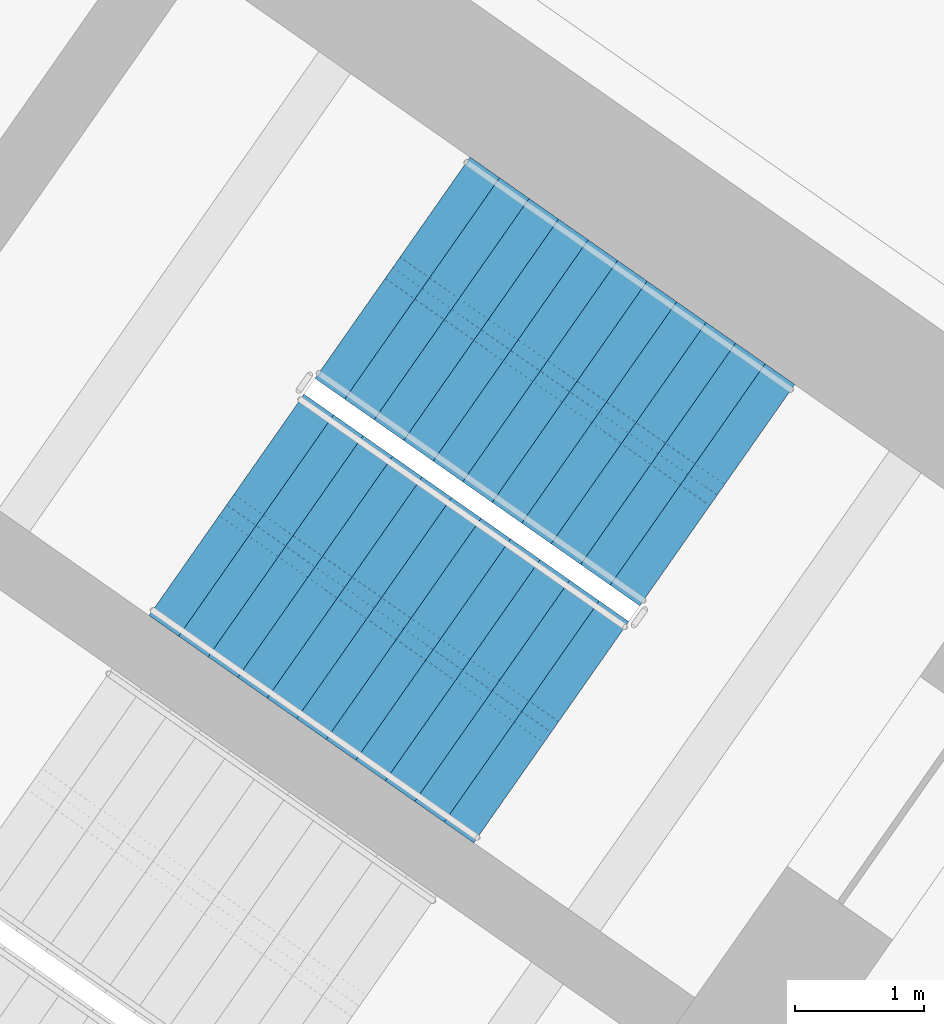
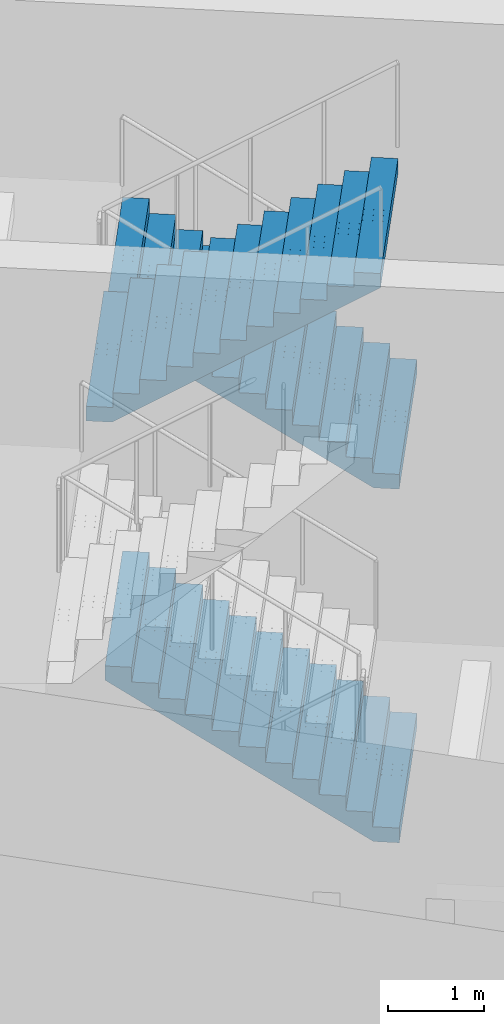
# One storey, part 18 of 27: 3 stair flights, 1 element without a shape of its own.
"""IFC4 building model written with IfcOpenShell, lengths in metres."""

from ifc_helpers import new_model, si_unit, direction, frame, origin, place, context, subcontext, project, spatial, polyline, outline, extrude, material, type_object, element, aggregate, save


model = new_model("IFC4")

# Units and contexts
model_context = context("Model", 3, precision=1e-05, world=origin(), true_north=direction((0.0, 1.0)))
body_context = subcontext(model_context, "Body", "Model", "MODEL_VIEW")
ifc_project = project(units=[si_unit("LENGTHUNIT", "METRE"), si_unit("AREAUNIT", "SQUARE_METRE"), si_unit("VOLUMEUNIT", "CUBIC_METRE"), si_unit("PLANEANGLEUNIT", "RADIAN"), si_unit("MASSUNIT", "GRAM", prefix="KILO")], contexts=[model_context])

# Site, building, storey
site_placement = place(None, origin())
site = spatial("IfcSite", under=ifc_project, at=site_placement, CompositionType="ELEMENT")
building_placement = place(site_placement, origin())
building = spatial("IfcBuilding", under=site, at=building_placement, Name="Tel Ilan Convention Tower", CompositionType="ELEMENT")
storey_placement = place(building_placement, frame((0.0, 0.0, 9.0)))
storey = spatial("IfcBuildingStorey", under=building, at=storey_placement, Name="L01", CompositionType="ELEMENT", Elevation=9.0)

# Stair, stair flights
ifc_material_1 = material(Name="Concrete C40/50", Category="concrete")
stair_type = type_object("IfcStairType", Name="Pressurised Exit Stair 48 risers 188 mm", PredefinedType="HALF_TURN_STAIR", material=ifc_material_1)
stair_placement = place(storey_placement, origin())
stair = element("IfcStair", 1, at=stair_placement, inside=storey, type_object=stair_type, Name="L01 Pressurised Stair S3", PredefinedType="HALF_TURN_STAIR")
ifc_material_2 = material(Name="Precast Concrete C40/50", Category="concrete")
stair_flight_type = type_object("IfcStairFlightType", Name="Concrete Stair Flight 2100 mm 48 risers 188 mm", PredefinedType="STRAIGHT", material=ifc_material_2)
stair_flight_1_placement = place(storey_placement, frame((24.25244140625, -7.032470703125, 0.0), z_axis=(0.0, 0.0, 1.0), x_axis=(-0.819152044289, 0.573576436351, 0.0)))
stair_flight_1 = element("IfcStairFlight", 2, at=stair_flight_1_placement, type_object=stair_flight_type, Name="S3 flight 1", NumberOfRisers=12, NumberOfTreads=11, PredefinedType="STRAIGHT", RiserHeight=0.1875, TreadLength=0.28, context=body_context, shape_type="SweptSolid", body=[
    extrude(outline(polyline([(0.0, 0.0), (0.0, 0.1875), (0.280029296875, 0.1875), (0.280029296875, 0.375), (0.56005859375, 0.375), (0.56005859375, 0.5625), (0.840087890625, 0.5625), (0.840087890625, 0.75), (1.1201171875, 0.75), (1.1201171875, 0.9375), (1.39990234375, 0.9375), (1.39990234375, 1.125), (1.679931640625, 1.125), (1.679931640625, 1.3125), (1.9599609375, 1.3125), (1.9599609375, 1.5), (2.239990234375, 1.5), (2.239990234375, 1.6875), (2.52001953125, 1.6875), (2.52001953125, 1.875), (2.800048828125, 1.875), (2.800048828125, 2.0625), (3.080078125, 2.0625), (3.080078125, 2.25), (3.080078125, 1.882080078125), (0.26953125, 0.0), (0.0, 0.0)])), frame((0.0, -0.100341796875, 0.0), z_axis=(0.0, -1.0, 0.0), x_axis=(1.0, 0.0, 0.0)), (0.0, 0.0, 1.0), 0.94970703125),
    extrude(outline(polyline([(0.0, 0.0), (0.0, 0.1875), (0.280029296875, 0.1875), (0.280029296875, 0.375), (0.56005859375, 0.375), (0.56005859375, 0.5625), (0.840087890625, 0.5625), (0.840087890625, 0.75), (1.1201171875, 0.75), (1.1201171875, 0.9375), (1.39990234375, 0.9375), (1.39990234375, 1.125), (1.679931640625, 1.125), (1.679931640625, 1.3125), (1.9599609375, 1.3125), (1.9599609375, 1.5), (2.239990234375, 1.5), (2.239990234375, 1.6875), (2.52001953125, 1.6875), (2.52001953125, 1.875), (2.800048828125, 1.875), (2.800048828125, 2.0625), (3.080078125, 2.0625), (3.080078125, 2.25), (3.080078125, 1.882080078125), (0.26953125, 0.0), (0.0, 0.0)])), frame((0.0, -0.000244140625, 0.0), z_axis=(0.0, -1.0, 0.0), x_axis=(1.0, 0.0, 0.0)), (0.0, 0.0, 1.0), 0.099609375),
    extrude(outline(polyline([(0.0, 0.0), (0.0, 0.1875), (0.280029296875, 0.1875), (0.280029296875, 0.375), (0.56005859375, 0.375), (0.56005859375, 0.5625), (0.840087890625, 0.5625), (0.840087890625, 0.75), (1.1201171875, 0.75), (1.1201171875, 0.9375), (1.39990234375, 0.9375), (1.39990234375, 1.125), (1.679931640625, 1.125), (1.679931640625, 1.3125), (1.9599609375, 1.3125), (1.9599609375, 1.5), (2.239990234375, 1.5), (2.239990234375, 1.6875), (2.52001953125, 1.6875), (2.52001953125, 1.875), (2.800048828125, 1.875), (2.800048828125, 2.0625), (3.080078125, 2.0625), (3.080078125, 2.25), (3.080078125, 1.882080078125), (0.26953125, 0.0), (0.0, 0.0)])), frame((0.0, 0.099853515625, 0.0), z_axis=(0.0, -1.0, 0.0), x_axis=(1.0, 0.0, 0.0)), (0.0, 0.0, 1.0), 0.099609375),
    extrude(outline(polyline([(0.0, 0.0), (0.0, 0.1875), (0.280029296875, 0.1875), (0.280029296875, 0.375), (0.56005859375, 0.375), (0.56005859375, 0.5625), (0.840087890625, 0.5625), (0.840087890625, 0.75), (1.1201171875, 0.75), (1.1201171875, 0.9375), (1.39990234375, 0.9375), (1.39990234375, 1.125), (1.679931640625, 1.125), (1.679931640625, 1.3125), (1.9599609375, 1.3125), (1.9599609375, 1.5), (2.239990234375, 1.5), (2.239990234375, 1.6875), (2.52001953125, 1.6875), (2.52001953125, 1.875), (2.800048828125, 1.875), (2.800048828125, 2.0625), (3.080078125, 2.0625), (3.080078125, 2.25), (3.080078125, 1.882080078125), (0.26953125, 0.0), (0.0, 0.0)])), frame((0.0, 1.050048828125, 0.0), z_axis=(0.0, -1.0, 0.0), x_axis=(1.0, 0.0, 0.0)), (0.0, 0.0, 1.0), 0.94970703125),
])
stair_flight_2_placement = place(storey_placement, frame((24.25244140625, -7.032470703125, 4.5), z_axis=(0.0, 0.0, 1.0), x_axis=(-0.819152044289, 0.573576436351, 0.0)))
stair_flight_2 = element("IfcStairFlight", 3, at=stair_flight_2_placement, type_object=stair_flight_type, Name="S3 flight 3", NumberOfRisers=12, NumberOfTreads=11, PredefinedType="STRAIGHT", RiserHeight=0.1875, TreadLength=0.28, context=body_context, shape_type="SweptSolid", body=[
    extrude(outline(polyline([(0.0, 0.0), (0.0, 0.1875), (0.280029296875, 0.1875), (0.280029296875, 0.375), (0.56005859375, 0.375), (0.56005859375, 0.5625), (0.840087890625, 0.5625), (0.840087890625, 0.75), (1.1201171875, 0.75), (1.1201171875, 0.9375), (1.39990234375, 0.9375), (1.39990234375, 1.125), (1.679931640625, 1.125), (1.679931640625, 1.3125), (1.9599609375, 1.3125), (1.9599609375, 1.5), (2.239990234375, 1.5), (2.239990234375, 1.6875), (2.52001953125, 1.6875), (2.52001953125, 1.875), (2.800048828125, 1.875), (2.800048828125, 2.0625), (3.080078125, 2.0625), (3.080078125, 2.25), (3.080078125, 1.882080078125), (0.26953125, 0.0), (0.0, 0.0)])), frame((0.0, -0.100341796875, 0.0), z_axis=(0.0, -1.0, 0.0), x_axis=(1.0, 0.0, 0.0)), (0.0, 0.0, 1.0), 0.94970703125),
    extrude(outline(polyline([(0.0, 0.0), (0.0, 0.1875), (0.280029296875, 0.1875), (0.280029296875, 0.375), (0.56005859375, 0.375), (0.56005859375, 0.5625), (0.840087890625, 0.5625), (0.840087890625, 0.75), (1.1201171875, 0.75), (1.1201171875, 0.9375), (1.39990234375, 0.9375), (1.39990234375, 1.125), (1.679931640625, 1.125), (1.679931640625, 1.3125), (1.9599609375, 1.3125), (1.9599609375, 1.5), (2.239990234375, 1.5), (2.239990234375, 1.6875), (2.52001953125, 1.6875), (2.52001953125, 1.875), (2.800048828125, 1.875), (2.800048828125, 2.0625), (3.080078125, 2.0625), (3.080078125, 2.25), (3.080078125, 1.882080078125), (0.26953125, 0.0), (0.0, 0.0)])), frame((0.0, -0.000244140625, 0.0), z_axis=(0.0, -1.0, 0.0), x_axis=(1.0, 0.0, 0.0)), (0.0, 0.0, 1.0), 0.099609375),
    extrude(outline(polyline([(0.0, 0.0), (0.0, 0.1875), (0.280029296875, 0.1875), (0.280029296875, 0.375), (0.56005859375, 0.375), (0.56005859375, 0.5625), (0.840087890625, 0.5625), (0.840087890625, 0.75), (1.1201171875, 0.75), (1.1201171875, 0.9375), (1.39990234375, 0.9375), (1.39990234375, 1.125), (1.679931640625, 1.125), (1.679931640625, 1.3125), (1.9599609375, 1.3125), (1.9599609375, 1.5), (2.239990234375, 1.5), (2.239990234375, 1.6875), (2.52001953125, 1.6875), (2.52001953125, 1.875), (2.800048828125, 1.875), (2.800048828125, 2.0625), (3.080078125, 2.0625), (3.080078125, 2.25), (3.080078125, 1.882080078125), (0.26953125, 0.0), (0.0, 0.0)])), frame((0.0, 0.099853515625, 0.0), z_axis=(0.0, -1.0, 0.0), x_axis=(1.0, 0.0, 0.0)), (0.0, 0.0, 1.0), 0.099609375),
    extrude(outline(polyline([(0.0, 0.0), (0.0, 0.1875), (0.280029296875, 0.1875), (0.280029296875, 0.375), (0.56005859375, 0.375), (0.56005859375, 0.5625), (0.840087890625, 0.5625), (0.840087890625, 0.75), (1.1201171875, 0.75), (1.1201171875, 0.9375), (1.39990234375, 0.9375), (1.39990234375, 1.125), (1.679931640625, 1.125), (1.679931640625, 1.3125), (1.9599609375, 1.3125), (1.9599609375, 1.5), (2.239990234375, 1.5), (2.239990234375, 1.6875), (2.52001953125, 1.6875), (2.52001953125, 1.875), (2.800048828125, 1.875), (2.800048828125, 2.0625), (3.080078125, 2.0625), (3.080078125, 2.25), (3.080078125, 1.882080078125), (0.26953125, 0.0), (0.0, 0.0)])), frame((0.0, 1.050048828125, 0.0), z_axis=(0.0, -1.0, 0.0), x_axis=(1.0, 0.0, 0.0)), (0.0, 0.0, 1.0), 0.94970703125),
])
stair_flight_3_placement = place(storey_placement, frame((20.43896484375, -7.10888671875, 6.75), z_axis=(0.0, 0.0, 1.0), x_axis=(0.819152044289, -0.573576436351, 0.0)))
stair_flight_3 = element("IfcStairFlight", 4, at=stair_flight_3_placement, type_object=stair_flight_type, Name="S3 flight 4", NumberOfRisers=12, NumberOfTreads=11, PredefinedType="STRAIGHT", RiserHeight=0.1875, TreadLength=0.28, context=body_context, shape_type="SweptSolid", body=[
    extrude(outline(polyline([(0.0, 0.0), (0.0, 0.1875), (0.280029296875, 0.1875), (0.280029296875, 0.375), (0.56005859375, 0.375), (0.56005859375, 0.5625), (0.840087890625, 0.5625), (0.840087890625, 0.75), (1.1201171875, 0.75), (1.1201171875, 0.9375), (1.39990234375, 0.9375), (1.39990234375, 1.125), (1.679931640625, 1.125), (1.679931640625, 1.3125), (1.9599609375, 1.3125), (1.9599609375, 1.5), (2.239990234375, 1.5), (2.239990234375, 1.6875), (2.52001953125, 1.6875), (2.52001953125, 1.875), (2.800048828125, 1.875), (2.800048828125, 2.0625), (3.080078125, 2.0625), (3.080078125, 2.25), (3.080078125, 1.882080078125), (0.26953125, 0.0), (0.0, 0.0)])), frame((0.0, -0.100341796875, 0.0), z_axis=(0.0, -1.0, 0.0), x_axis=(1.0, 0.0, 0.0)), (0.0, 0.0, 1.0), 0.94970703125),
    extrude(outline(polyline([(0.0, 0.0), (0.0, 0.1875), (0.280029296875, 0.1875), (0.280029296875, 0.375), (0.56005859375, 0.375), (0.56005859375, 0.5625), (0.840087890625, 0.5625), (0.840087890625, 0.75), (1.1201171875, 0.75), (1.1201171875, 0.9375), (1.39990234375, 0.9375), (1.39990234375, 1.125), (1.679931640625, 1.125), (1.679931640625, 1.3125), (1.9599609375, 1.3125), (1.9599609375, 1.5), (2.239990234375, 1.5), (2.239990234375, 1.6875), (2.52001953125, 1.6875), (2.52001953125, 1.875), (2.800048828125, 1.875), (2.800048828125, 2.0625), (3.080078125, 2.0625), (3.080078125, 2.25), (3.080078125, 1.882080078125), (0.26953125, 0.0), (0.0, 0.0)])), frame((0.0, -0.000244140625, 0.0), z_axis=(0.0, -1.0, 0.0), x_axis=(1.0, 0.0, 0.0)), (0.0, 0.0, 1.0), 0.099609375),
    extrude(outline(polyline([(0.0, 0.0), (0.0, 0.1875), (0.280029296875, 0.1875), (0.280029296875, 0.375), (0.56005859375, 0.375), (0.56005859375, 0.5625), (0.840087890625, 0.5625), (0.840087890625, 0.75), (1.1201171875, 0.75), (1.1201171875, 0.9375), (1.39990234375, 0.9375), (1.39990234375, 1.125), (1.679931640625, 1.125), (1.679931640625, 1.3125), (1.9599609375, 1.3125), (1.9599609375, 1.5), (2.239990234375, 1.5), (2.239990234375, 1.6875), (2.52001953125, 1.6875), (2.52001953125, 1.875), (2.800048828125, 1.875), (2.800048828125, 2.0625), (3.080078125, 2.0625), (3.080078125, 2.25), (3.080078125, 1.882080078125), (0.26953125, 0.0), (0.0, 0.0)])), frame((0.0, 0.099853515625, 0.0), z_axis=(0.0, -1.0, 0.0), x_axis=(1.0, 0.0, 0.0)), (0.0, 0.0, 1.0), 0.099609375),
    extrude(outline(polyline([(0.0, 0.0), (0.0, 0.1875), (0.280029296875, 0.1875), (0.280029296875, 0.375), (0.56005859375, 0.375), (0.56005859375, 0.5625), (0.840087890625, 0.5625), (0.840087890625, 0.75), (1.1201171875, 0.75), (1.1201171875, 0.9375), (1.39990234375, 0.9375), (1.39990234375, 1.125), (1.679931640625, 1.125), (1.679931640625, 1.3125), (1.9599609375, 1.3125), (1.9599609375, 1.5), (2.239990234375, 1.5), (2.239990234375, 1.6875), (2.52001953125, 1.6875), (2.52001953125, 1.875), (2.800048828125, 1.875), (2.800048828125, 2.0625), (3.080078125, 2.0625), (3.080078125, 2.25), (3.080078125, 1.882080078125), (0.26953125, 0.0), (0.0, 0.0)])), frame((0.0, 1.050048828125, 0.0), z_axis=(0.0, -1.0, 0.0), x_axis=(1.0, 0.0, 0.0)), (0.0, 0.0, 1.0), 0.94970703125),
])
aggregate(stair, [stair_flight_1, stair_flight_2, stair_flight_3])

save(model, "model.ifc")
